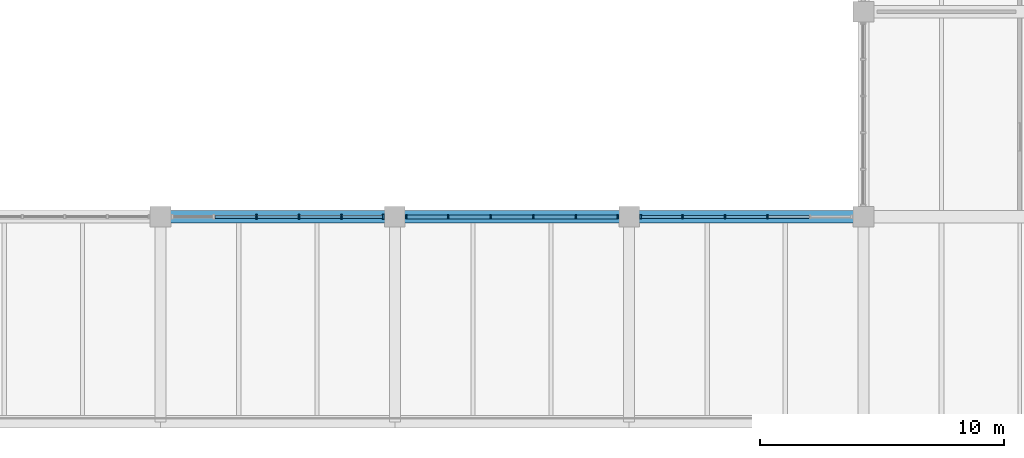
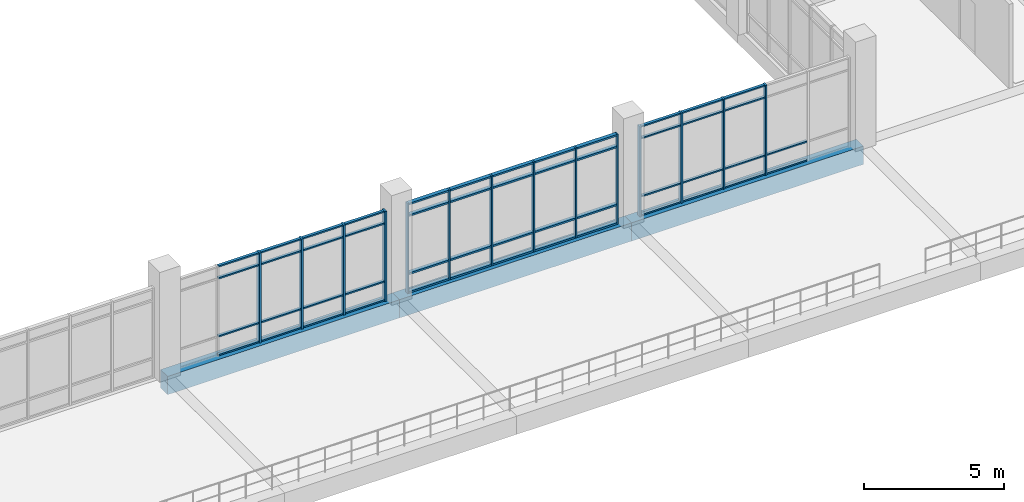
# One storey, part 22 of 152: 64 members, 3 beams, 3 elements without a shape of their own.
"""IFC4 building model written with IfcOpenShell, lengths in metres."""

from ifc_helpers import new_model, si_unit, direction, frame, origin, origin_2d, place, context, subcontext, project, spatial, rectangle, extrude, material, material_profile, profile_set, type_object, element, aggregate, save


model = new_model("IFC4")

# Units and contexts
model_context = context("Model", 3, precision=1e-05, world=origin(), true_north=direction((0.0, 1.0)))
body_context = subcontext(model_context, "Body", "Model", "MODEL_VIEW")
ifc_project = project(units=[si_unit("LENGTHUNIT", "METRE"), si_unit("AREAUNIT", "SQUARE_METRE"), si_unit("VOLUMEUNIT", "CUBIC_METRE"), si_unit("PLANEANGLEUNIT", "RADIAN"), si_unit("MASSUNIT", "GRAM", prefix="KILO")], contexts=[model_context])

# Site, building, storey
site_placement = place(None, origin())
site = spatial("IfcSite", under=ifc_project, at=site_placement, CompositionType="ELEMENT")
building_placement = place(site_placement, origin())
building = spatial("IfcBuilding", under=site, at=building_placement, Name="Oolite Switchyard Hospital", CompositionType="ELEMENT")
storey_placement = place(building_placement, frame((0.0, 0.0, 5.10009765625)))
storey = spatial("IfcBuildingStorey", under=building, at=storey_placement, Name="L01", CompositionType="ELEMENT", Elevation=5.10009765625)

# Beams
ifc_material_1 = material(Name="Concrete C40/50", Category="concrete")
ifc_material_profile_1 = material_profile(ifc_material_1, rectangle(XDim=0.5, YDim=0.800048828125, at=origin_2d()), Name="RCB500X800")
ifc_profile_set_1 = profile_set([ifc_material_profile_1], Name="Concrete C40/50")
beam_type = type_object("IfcBeamType", Name="BM-RC500X800", PredefinedType="BEAM", material=ifc_profile_set_1)
for number, where, z_axis, x_axis, name in (
    (1, (86.39990234375, 33.60009765625, -0.400146484375), (1.0, 0.0, 0.0), (0.0, 1.0, 0.0), "L01 X-Girder 71"),
    (2, (96.0, 33.60009765625, -0.400146484375), (1.0, 0.0, 0.0), (0.0, 1.0, 0.0), "L01 X-Girder 72"),
):
    element("IfcBeam", number, at=place(storey_placement, frame(where, z_axis=z_axis, x_axis=x_axis)), inside=storey, type_object=beam_type, Name=name, PredefinedType="BEAM", context=body_context, shape_type="SweptSolid", body=[
        extrude(rectangle(XDim=0.5, YDim=0.800048828125, at=origin_2d()), origin(), (0.0, 0.0, 1.0), 9.60009765625),
    ])
beam_placement = place(storey_placement, frame((105.60009765625, 33.60009765625, -0.400146484375), z_axis=(1.0, 0.0, 0.0), x_axis=(0.0, 1.0, 0.0)))
element("IfcBeam", 3, at=beam_placement, inside=storey, type_object=beam_type, Name="L01 X-Girder 73", PredefinedType="BEAM", context=body_context, shape_type="SweptSolid", body=[
    extrude(rectangle(XDim=0.5, YDim=0.800048828125, at=origin_2d()), origin(), (0.0, 0.0, 1.0), 9.599853515625),
])

# Curtain wall, members
ifc_material_2 = material(Name="Thermally broken aluminum frame with laminated impact glazing", Category="aluminium")
curtain_wall_type = type_object("IfcCurtainWallType", Name="CW-UNIT-96X48", PredefinedType="USERDEFINED", material=ifc_material_2)
curtain_wall_1_placement = place(storey_placement, origin())
curtain_wall_1 = element("IfcCurtainWall", 4, at=curtain_wall_1_placement, inside=storey, type_object=curtain_wall_type, Name="L01 Unitised Curtain Wall 113", ObjectType="UNITISED", PredefinedType="USERDEFINED")
ifc_material_3 = material(Name="Aluminium 6063-T6", Category="aluminium")
ifc_material_profile_2 = material_profile(ifc_material_3, rectangle(XDim=0.159912109375, YDim=0.06005859375, at=origin_2d()), Name="CWM60X160")
ifc_profile_set_2 = profile_set([ifc_material_profile_2], Name="Aluminium 6063-T6")
member_type_1 = type_object("IfcMemberType", Name="CW-MUL-180", PredefinedType="MULLION", material=ifc_profile_set_2)
member_1_placement = place(storey_placement, frame((96.469970703125, 33.60009765625, 0.0), z_axis=(0.0, 0.0, 1.0), x_axis=(0.0, 1.0, 0.0)))
member_1 = element("IfcMember", 5, at=member_1_placement, type_object=member_type_1, Name="CW-02 mullion 1", PredefinedType="MULLION", context=body_context, shape_type="SweptSolid", body=[
    extrude(rectangle(XDim=0.159912109375, YDim=0.06005859375, at=origin_2d()), origin(), (0.0, 0.0, 1.0), 3.93994140625),
])
member_2_placement = place(storey_placement, frame((98.18408203125, 33.60009765625, 0.0), z_axis=(0.0, 0.0, 1.0), x_axis=(0.0, 1.0, 0.0)))
member_2 = element("IfcMember", 6, at=member_2_placement, type_object=member_type_1, Name="CW-02 mullion 2", PredefinedType="MULLION", context=body_context, shape_type="SweptSolid", body=[
    extrude(rectangle(XDim=0.159912109375, YDim=0.06005859375, at=origin_2d()), origin(), (0.0, 0.0, 1.0), 3.93994140625),
])
member_3_placement = place(storey_placement, frame((99.927978515625, 33.60009765625, 0.0), z_axis=(0.0, 0.0, 1.0), x_axis=(0.0, 1.0, 0.0)))
member_3 = element("IfcMember", 7, at=member_3_placement, type_object=member_type_1, Name="CW-02 mullion 3", PredefinedType="MULLION", context=body_context, shape_type="SweptSolid", body=[
    extrude(rectangle(XDim=0.159912109375, YDim=0.06005859375, at=origin_2d()), origin(), (0.0, 0.0, 1.0), 3.93994140625),
])
member_4_placement = place(storey_placement, frame((101.672119140625, 33.60009765625, 0.0), z_axis=(0.0, 0.0, 1.0), x_axis=(0.0, 1.0, 0.0)))
member_4 = element("IfcMember", 8, at=member_4_placement, type_object=member_type_1, Name="CW-02 mullion 4", PredefinedType="MULLION", context=body_context, shape_type="SweptSolid", body=[
    extrude(rectangle(XDim=0.159912109375, YDim=0.06005859375, at=origin_2d()), origin(), (0.0, 0.0, 1.0), 3.93994140625),
])
member_5_placement = place(storey_placement, frame((103.416015625, 33.60009765625, 0.0), z_axis=(0.0, 0.0, 1.0), x_axis=(0.0, 1.0, 0.0)))
member_5 = element("IfcMember", 9, at=member_5_placement, type_object=member_type_1, Name="CW-02 mullion 5", PredefinedType="MULLION", context=body_context, shape_type="SweptSolid", body=[
    extrude(rectangle(XDim=0.159912109375, YDim=0.06005859375, at=origin_2d()), origin(), (0.0, 0.0, 1.0), 3.93994140625),
])
member_6_placement = place(storey_placement, frame((105.1298828125, 33.60009765625, 0.0), z_axis=(0.0, 0.0, 1.0), x_axis=(0.0, 1.0, 0.0)))
member_6 = element("IfcMember", 10, at=member_6_placement, type_object=member_type_1, Name="CW-02 mullion 6", PredefinedType="MULLION", context=body_context, shape_type="SweptSolid", body=[
    extrude(rectangle(XDim=0.159912109375, YDim=0.06005859375, at=origin_2d()), origin(), (0.0, 0.0, 1.0), 3.93994140625),
])

curtain_wall_2_placement = place(storey_placement, origin())
curtain_wall_2 = element("IfcCurtainWall", 11, at=curtain_wall_2_placement, inside=storey, type_object=curtain_wall_type, Name="L01 Unitised Curtain Wall 114", ObjectType="UNITISED", PredefinedType="USERDEFINED")
ifc_material_profile_3 = material_profile(ifc_material_3, rectangle(XDim=0.179931640625, YDim=0.070068359375, at=origin_2d()), Name="CWM70X180")
ifc_profile_set_3 = profile_set([ifc_material_profile_3], Name="Aluminium 6063-T6")
member_type_2 = type_object("IfcMemberType", Name="CW-MUL-220", PredefinedType="MULLION", material=ifc_profile_set_3)
member_7_placement = place(storey_placement, frame((106.074951171875, 33.60009765625, 0.0), z_axis=(0.0, 0.0, 1.0), x_axis=(0.0, 1.0, 0.0)))
member_7 = element("IfcMember", 12, at=member_7_placement, type_object=member_type_2, Name="CW-02 mullion 1", PredefinedType="MULLION", context=body_context, shape_type="SweptSolid", body=[
    extrude(rectangle(XDim=0.179931640625, YDim=0.070068359375, at=origin_2d()), origin(), (0.0, 0.0, 1.0), 3.93994140625),
])
member_8_placement = place(storey_placement, frame((107.783935546875, 33.60009765625, 0.0), z_axis=(0.0, 0.0, 1.0), x_axis=(0.0, 1.0, 0.0)))
member_8 = element("IfcMember", 13, at=member_8_placement, type_object=member_type_2, Name="CW-02 mullion 2", PredefinedType="MULLION", context=body_context, shape_type="SweptSolid", body=[
    extrude(rectangle(XDim=0.179931640625, YDim=0.070068359375, at=origin_2d()), origin(), (0.0, 0.0, 1.0), 3.93994140625),
])
member_9_placement = place(storey_placement, frame((109.528076171875, 33.60009765625, 0.0), z_axis=(0.0, 0.0, 1.0), x_axis=(0.0, 1.0, 0.0)))
member_9 = element("IfcMember", 14, at=member_9_placement, type_object=member_type_2, Name="CW-02 mullion 3", PredefinedType="MULLION", context=body_context, shape_type="SweptSolid", body=[
    extrude(rectangle(XDim=0.179931640625, YDim=0.070068359375, at=origin_2d()), origin(), (0.0, 0.0, 1.0), 3.93994140625),
])
member_10_placement = place(storey_placement, frame((111.27197265625, 33.60009765625, 0.0), z_axis=(0.0, 0.0, 1.0), x_axis=(0.0, 1.0, 0.0)))
member_10 = element("IfcMember", 15, at=member_10_placement, type_object=member_type_2, Name="CW-02 mullion 4", PredefinedType="MULLION", context=body_context, shape_type="SweptSolid", body=[
    extrude(rectangle(XDim=0.179931640625, YDim=0.070068359375, at=origin_2d()), origin(), (0.0, 0.0, 1.0), 3.93994140625),
])

curtain_wall_3_placement = place(storey_placement, origin())
curtain_wall_3 = element("IfcCurtainWall", 16, at=curtain_wall_3_placement, inside=storey, type_object=curtain_wall_type, Name="L01 Unitised Curtain Wall 112", ObjectType="UNITISED", PredefinedType="USERDEFINED")
ifc_material_profile_4 = material_profile(ifc_material_3, rectangle(XDim=0.199951171875, YDim=0.074951171875, at=origin_2d()), Name="CWM75X200")
ifc_profile_set_4 = profile_set([ifc_material_profile_4], Name="Aluminium 6063-T6")
member_type_3 = type_object("IfcMemberType", Name="CW-MUL-260", PredefinedType="MULLION", material=ifc_profile_set_4)
member_11_placement = place(storey_placement, frame((90.327880859375, 33.60009765625, 0.0), z_axis=(0.0, 0.0, 1.0), x_axis=(0.0, 1.0, 0.0)))
member_11 = element("IfcMember", 17, at=member_11_placement, type_object=member_type_3, Name="CW-02 mullion 3", PredefinedType="MULLION", context=body_context, shape_type="SweptSolid", body=[
    extrude(rectangle(XDim=0.199951171875, YDim=0.074951171875, at=origin_2d()), origin(), (0.0, 0.0, 1.0), 3.93994140625),
])
member_12_placement = place(storey_placement, frame((92.072021484375, 33.60009765625, 0.0), z_axis=(0.0, 0.0, 1.0), x_axis=(0.0, 1.0, 0.0)))
member_12 = element("IfcMember", 18, at=member_12_placement, type_object=member_type_3, Name="CW-02 mullion 4", PredefinedType="MULLION", context=body_context, shape_type="SweptSolid", body=[
    extrude(rectangle(XDim=0.199951171875, YDim=0.074951171875, at=origin_2d()), origin(), (0.0, 0.0, 1.0), 3.93994140625),
])
member_13_placement = place(storey_placement, frame((93.81591796875, 33.60009765625, 0.0), z_axis=(0.0, 0.0, 1.0), x_axis=(0.0, 1.0, 0.0)))
member_13 = element("IfcMember", 19, at=member_13_placement, type_object=member_type_3, Name="CW-02 mullion 5", PredefinedType="MULLION", context=body_context, shape_type="SweptSolid", body=[
    extrude(rectangle(XDim=0.199951171875, YDim=0.074951171875, at=origin_2d()), origin(), (0.0, 0.0, 1.0), 3.93994140625),
])
member_14_placement = place(storey_placement, frame((95.5224609375, 33.60009765625, 0.0), z_axis=(0.0, 0.0, 1.0), x_axis=(0.0, 1.0, 0.0)))
member_14 = element("IfcMember", 20, at=member_14_placement, type_object=member_type_3, Name="CW-02 mullion 6", PredefinedType="MULLION", context=body_context, shape_type="SweptSolid", body=[
    extrude(rectangle(XDim=0.199951171875, YDim=0.074951171875, at=origin_2d()), origin(), (0.0, 0.0, 1.0), 3.93994140625),
])
ifc_material_profile_5 = material_profile(ifc_material_3, rectangle(XDim=0.1201171875, YDim=0.06005859375, at=origin_2d()), Name="CWT60X120")
ifc_profile_set_5 = profile_set([ifc_material_profile_5], Name="Aluminium 6063-T6")
member_type_4 = type_object("IfcMemberType", Name="CW-TRN-150", PredefinedType="USERDEFINED", material=ifc_profile_set_5)
member_15_placement = place(storey_placement, frame((88.62158203125, 33.60009765625, 0.02978515625), z_axis=(1.0, 0.0, 0.0), x_axis=(0.0, 1.0, 0.0)))
member_15 = element("IfcMember", 21, at=member_15_placement, type_object=member_type_4, Name="CW-02 transom 2.1", ObjectType="TRANSOM", PredefinedType="USERDEFINED", context=body_context, shape_type="SweptSolid", body=[
    extrude(rectangle(XDim=0.1201171875, YDim=0.06005859375, at=origin_2d()), origin(), (0.0, 0.0, 1.0), 1.6689453125),
])
member_16_placement = place(storey_placement, frame((88.62158203125, 33.60009765625, 0.849853515625), z_axis=(1.0, 0.0, 0.0), x_axis=(0.0, 1.0, 0.0)))
member_16 = element("IfcMember", 22, at=member_16_placement, type_object=member_type_4, Name="CW-02 transom 2.2", ObjectType="TRANSOM", PredefinedType="USERDEFINED", context=body_context, shape_type="SweptSolid", body=[
    extrude(rectangle(XDim=0.1201171875, YDim=0.06005859375, at=origin_2d()), origin(), (0.0, 0.0, 1.0), 1.6689453125),
])
member_17_placement = place(storey_placement, frame((88.62158203125, 33.60009765625, 3.389892578125), z_axis=(1.0, 0.0, 0.0), x_axis=(0.0, 1.0, 0.0)))
member_17 = element("IfcMember", 23, at=member_17_placement, type_object=member_type_4, Name="CW-02 transom 2.3", ObjectType="TRANSOM", PredefinedType="USERDEFINED", context=body_context, shape_type="SweptSolid", body=[
    extrude(rectangle(XDim=0.1201171875, YDim=0.06005859375, at=origin_2d()), origin(), (0.0, 0.0, 1.0), 1.6689453125),
])
member_18_placement = place(storey_placement, frame((88.62158203125, 33.60009765625, 3.909912109375), z_axis=(1.0, 0.0, 0.0), x_axis=(0.0, 1.0, 0.0)))
member_18 = element("IfcMember", 24, at=member_18_placement, type_object=member_type_4, Name="CW-02 transom 2.4", ObjectType="TRANSOM", PredefinedType="USERDEFINED", context=body_context, shape_type="SweptSolid", body=[
    extrude(rectangle(XDim=0.1201171875, YDim=0.06005859375, at=origin_2d()), origin(), (0.0, 0.0, 1.0), 1.6689453125),
])
member_19_placement = place(storey_placement, frame((90.365478515625, 33.60009765625, 0.02978515625), z_axis=(1.0, 0.0, 0.0), x_axis=(0.0, 1.0, 0.0)))
member_19 = element("IfcMember", 25, at=member_19_placement, type_object=member_type_4, Name="CW-02 transom 3.1", ObjectType="TRANSOM", PredefinedType="USERDEFINED", context=body_context, shape_type="SweptSolid", body=[
    extrude(rectangle(XDim=0.1201171875, YDim=0.06005859375, at=origin_2d()), origin(), (0.0, 0.0, 1.0), 1.6689453125),
])
member_20_placement = place(storey_placement, frame((90.365478515625, 33.60009765625, 0.849853515625), z_axis=(1.0, 0.0, 0.0), x_axis=(0.0, 1.0, 0.0)))
member_20 = element("IfcMember", 26, at=member_20_placement, type_object=member_type_4, Name="CW-02 transom 3.2", ObjectType="TRANSOM", PredefinedType="USERDEFINED", context=body_context, shape_type="SweptSolid", body=[
    extrude(rectangle(XDim=0.1201171875, YDim=0.06005859375, at=origin_2d()), origin(), (0.0, 0.0, 1.0), 1.6689453125),
])
member_21_placement = place(storey_placement, frame((90.365478515625, 33.60009765625, 3.389892578125), z_axis=(1.0, 0.0, 0.0), x_axis=(0.0, 1.0, 0.0)))
member_21 = element("IfcMember", 27, at=member_21_placement, type_object=member_type_4, Name="CW-02 transom 3.3", ObjectType="TRANSOM", PredefinedType="USERDEFINED", context=body_context, shape_type="SweptSolid", body=[
    extrude(rectangle(XDim=0.1201171875, YDim=0.06005859375, at=origin_2d()), origin(), (0.0, 0.0, 1.0), 1.6689453125),
])
member_22_placement = place(storey_placement, frame((90.365478515625, 33.60009765625, 3.909912109375), z_axis=(1.0, 0.0, 0.0), x_axis=(0.0, 1.0, 0.0)))
member_22 = element("IfcMember", 28, at=member_22_placement, type_object=member_type_4, Name="CW-02 transom 3.4", ObjectType="TRANSOM", PredefinedType="USERDEFINED", context=body_context, shape_type="SweptSolid", body=[
    extrude(rectangle(XDim=0.1201171875, YDim=0.06005859375, at=origin_2d()), origin(), (0.0, 0.0, 1.0), 1.6689453125),
])
member_23_placement = place(storey_placement, frame((92.109619140625, 33.60009765625, 0.02978515625), z_axis=(1.0, 0.0, 0.0), x_axis=(0.0, 1.0, 0.0)))
member_23 = element("IfcMember", 29, at=member_23_placement, type_object=member_type_4, Name="CW-02 transom 4.1", ObjectType="TRANSOM", PredefinedType="USERDEFINED", context=body_context, shape_type="SweptSolid", body=[
    extrude(rectangle(XDim=0.1201171875, YDim=0.06005859375, at=origin_2d()), origin(), (0.0, 0.0, 1.0), 1.6689453125),
])
member_24_placement = place(storey_placement, frame((92.109619140625, 33.60009765625, 0.849853515625), z_axis=(1.0, 0.0, 0.0), x_axis=(0.0, 1.0, 0.0)))
member_24 = element("IfcMember", 30, at=member_24_placement, type_object=member_type_4, Name="CW-02 transom 4.2", ObjectType="TRANSOM", PredefinedType="USERDEFINED", context=body_context, shape_type="SweptSolid", body=[
    extrude(rectangle(XDim=0.1201171875, YDim=0.06005859375, at=origin_2d()), origin(), (0.0, 0.0, 1.0), 1.6689453125),
])
member_25_placement = place(storey_placement, frame((92.109619140625, 33.60009765625, 3.389892578125), z_axis=(1.0, 0.0, 0.0), x_axis=(0.0, 1.0, 0.0)))
member_25 = element("IfcMember", 31, at=member_25_placement, type_object=member_type_4, Name="CW-02 transom 4.3", ObjectType="TRANSOM", PredefinedType="USERDEFINED", context=body_context, shape_type="SweptSolid", body=[
    extrude(rectangle(XDim=0.1201171875, YDim=0.06005859375, at=origin_2d()), origin(), (0.0, 0.0, 1.0), 1.6689453125),
])
member_26_placement = place(storey_placement, frame((92.109619140625, 33.60009765625, 3.909912109375), z_axis=(1.0, 0.0, 0.0), x_axis=(0.0, 1.0, 0.0)))
member_26 = element("IfcMember", 32, at=member_26_placement, type_object=member_type_4, Name="CW-02 transom 4.4", ObjectType="TRANSOM", PredefinedType="USERDEFINED", context=body_context, shape_type="SweptSolid", body=[
    extrude(rectangle(XDim=0.1201171875, YDim=0.06005859375, at=origin_2d()), origin(), (0.0, 0.0, 1.0), 1.6689453125),
])
member_27_placement = place(storey_placement, frame((93.853515625, 33.60009765625, 0.02978515625), z_axis=(1.0, 0.0, 0.0), x_axis=(0.0, 1.0, 0.0)))
member_27 = element("IfcMember", 33, at=member_27_placement, type_object=member_type_4, Name="CW-02 transom 5.1", ObjectType="TRANSOM", PredefinedType="USERDEFINED", context=body_context, shape_type="SweptSolid", body=[
    extrude(rectangle(XDim=0.1201171875, YDim=0.06005859375, at=origin_2d()), origin(), (0.0, 0.0, 1.0), 1.631591796875),
])
member_28_placement = place(storey_placement, frame((93.853515625, 33.60009765625, 0.849853515625), z_axis=(1.0, 0.0, 0.0), x_axis=(0.0, 1.0, 0.0)))
member_28 = element("IfcMember", 34, at=member_28_placement, type_object=member_type_4, Name="CW-02 transom 5.2", ObjectType="TRANSOM", PredefinedType="USERDEFINED", context=body_context, shape_type="SweptSolid", body=[
    extrude(rectangle(XDim=0.1201171875, YDim=0.06005859375, at=origin_2d()), origin(), (0.0, 0.0, 1.0), 1.631591796875),
])
member_29_placement = place(storey_placement, frame((93.853515625, 33.60009765625, 3.389892578125), z_axis=(1.0, 0.0, 0.0), x_axis=(0.0, 1.0, 0.0)))
member_29 = element("IfcMember", 35, at=member_29_placement, type_object=member_type_4, Name="CW-02 transom 5.3", ObjectType="TRANSOM", PredefinedType="USERDEFINED", context=body_context, shape_type="SweptSolid", body=[
    extrude(rectangle(XDim=0.1201171875, YDim=0.06005859375, at=origin_2d()), origin(), (0.0, 0.0, 1.0), 1.631591796875),
])
member_30_placement = place(storey_placement, frame((93.853515625, 33.60009765625, 3.909912109375), z_axis=(1.0, 0.0, 0.0), x_axis=(0.0, 1.0, 0.0)))
member_30 = element("IfcMember", 36, at=member_30_placement, type_object=member_type_4, Name="CW-02 transom 5.4", ObjectType="TRANSOM", PredefinedType="USERDEFINED", context=body_context, shape_type="SweptSolid", body=[
    extrude(rectangle(XDim=0.1201171875, YDim=0.06005859375, at=origin_2d()), origin(), (0.0, 0.0, 1.0), 1.631591796875),
])
aggregate(curtain_wall_3, [member_11, member_12, member_13, member_14, member_15, member_16, member_17, member_18, member_19, member_20, member_21, member_22, member_23, member_24, member_25, member_26, member_27, member_28, member_29, member_30])

# Member
member_31_placement = place(storey_placement, frame((106.110107421875, 33.60009765625, 0.02978515625), z_axis=(1.0, 0.0, 0.0), x_axis=(0.0, 1.0, 0.0)))
member_31 = element("IfcMember", 37, at=member_31_placement, type_object=member_type_4, Name="CW-02 transom 1.1", ObjectType="TRANSOM", PredefinedType="USERDEFINED", context=body_context, shape_type="SweptSolid", body=[
    extrude(rectangle(XDim=0.1201171875, YDim=0.06005859375, at=origin_2d()), origin(), (0.0, 0.0, 1.0), 1.638916015625),
])

member_32_placement = place(storey_placement, frame((106.110107421875, 33.60009765625, 0.849853515625), z_axis=(1.0, 0.0, 0.0), x_axis=(0.0, 1.0, 0.0)))
member_32 = element("IfcMember", 38, at=member_32_placement, type_object=member_type_4, Name="CW-02 transom 1.2", ObjectType="TRANSOM", PredefinedType="USERDEFINED", context=body_context, shape_type="SweptSolid", body=[
    extrude(rectangle(XDim=0.1201171875, YDim=0.06005859375, at=origin_2d()), origin(), (0.0, 0.0, 1.0), 1.638916015625),
])

member_33_placement = place(storey_placement, frame((106.110107421875, 33.60009765625, 3.389892578125), z_axis=(1.0, 0.0, 0.0), x_axis=(0.0, 1.0, 0.0)))
member_33 = element("IfcMember", 39, at=member_33_placement, type_object=member_type_4, Name="CW-02 transom 1.3", ObjectType="TRANSOM", PredefinedType="USERDEFINED", context=body_context, shape_type="SweptSolid", body=[
    extrude(rectangle(XDim=0.1201171875, YDim=0.06005859375, at=origin_2d()), origin(), (0.0, 0.0, 1.0), 1.638916015625),
])

member_34_placement = place(storey_placement, frame((106.110107421875, 33.60009765625, 3.909912109375), z_axis=(1.0, 0.0, 0.0), x_axis=(0.0, 1.0, 0.0)))
member_34 = element("IfcMember", 40, at=member_34_placement, type_object=member_type_4, Name="CW-02 transom 1.4", ObjectType="TRANSOM", PredefinedType="USERDEFINED", context=body_context, shape_type="SweptSolid", body=[
    extrude(rectangle(XDim=0.1201171875, YDim=0.06005859375, at=origin_2d()), origin(), (0.0, 0.0, 1.0), 1.638916015625),
])

member_35_placement = place(storey_placement, frame((107.819091796875, 33.60009765625, 0.02978515625), z_axis=(1.0, 0.0, 0.0), x_axis=(0.0, 1.0, 0.0)))
member_35 = element("IfcMember", 41, at=member_35_placement, type_object=member_type_4, Name="CW-02 transom 2.1", ObjectType="TRANSOM", PredefinedType="USERDEFINED", context=body_context, shape_type="SweptSolid", body=[
    extrude(rectangle(XDim=0.1201171875, YDim=0.06005859375, at=origin_2d()), origin(), (0.0, 0.0, 1.0), 1.673828125),
])

member_36_placement = place(storey_placement, frame((107.819091796875, 33.60009765625, 0.849853515625), z_axis=(1.0, 0.0, 0.0), x_axis=(0.0, 1.0, 0.0)))
member_36 = element("IfcMember", 42, at=member_36_placement, type_object=member_type_4, Name="CW-02 transom 2.2", ObjectType="TRANSOM", PredefinedType="USERDEFINED", context=body_context, shape_type="SweptSolid", body=[
    extrude(rectangle(XDim=0.1201171875, YDim=0.06005859375, at=origin_2d()), origin(), (0.0, 0.0, 1.0), 1.673828125),
])

member_37_placement = place(storey_placement, frame((107.819091796875, 33.60009765625, 3.389892578125), z_axis=(1.0, 0.0, 0.0), x_axis=(0.0, 1.0, 0.0)))
member_37 = element("IfcMember", 43, at=member_37_placement, type_object=member_type_4, Name="CW-02 transom 2.3", ObjectType="TRANSOM", PredefinedType="USERDEFINED", context=body_context, shape_type="SweptSolid", body=[
    extrude(rectangle(XDim=0.1201171875, YDim=0.06005859375, at=origin_2d()), origin(), (0.0, 0.0, 1.0), 1.673828125),
])

member_38_placement = place(storey_placement, frame((107.819091796875, 33.60009765625, 3.909912109375), z_axis=(1.0, 0.0, 0.0), x_axis=(0.0, 1.0, 0.0)))
member_38 = element("IfcMember", 44, at=member_38_placement, type_object=member_type_4, Name="CW-02 transom 2.4", ObjectType="TRANSOM", PredefinedType="USERDEFINED", context=body_context, shape_type="SweptSolid", body=[
    extrude(rectangle(XDim=0.1201171875, YDim=0.06005859375, at=origin_2d()), origin(), (0.0, 0.0, 1.0), 1.673828125),
])

member_39_placement = place(storey_placement, frame((109.56298828125, 33.60009765625, 0.02978515625), z_axis=(1.0, 0.0, 0.0), x_axis=(0.0, 1.0, 0.0)))
member_39 = element("IfcMember", 45, at=member_39_placement, type_object=member_type_4, Name="CW-02 transom 3.1", ObjectType="TRANSOM", PredefinedType="USERDEFINED", context=body_context, shape_type="SweptSolid", body=[
    extrude(rectangle(XDim=0.1201171875, YDim=0.06005859375, at=origin_2d()), origin(), (0.0, 0.0, 1.0), 1.674072265625),
])

member_40_placement = place(storey_placement, frame((109.56298828125, 33.60009765625, 0.849853515625), z_axis=(1.0, 0.0, 0.0), x_axis=(0.0, 1.0, 0.0)))
member_40 = element("IfcMember", 46, at=member_40_placement, type_object=member_type_4, Name="CW-02 transom 3.2", ObjectType="TRANSOM", PredefinedType="USERDEFINED", context=body_context, shape_type="SweptSolid", body=[
    extrude(rectangle(XDim=0.1201171875, YDim=0.06005859375, at=origin_2d()), origin(), (0.0, 0.0, 1.0), 1.674072265625),
])

member_41_placement = place(storey_placement, frame((109.56298828125, 33.60009765625, 3.389892578125), z_axis=(1.0, 0.0, 0.0), x_axis=(0.0, 1.0, 0.0)))
member_41 = element("IfcMember", 47, at=member_41_placement, type_object=member_type_4, Name="CW-02 transom 3.3", ObjectType="TRANSOM", PredefinedType="USERDEFINED", context=body_context, shape_type="SweptSolid", body=[
    extrude(rectangle(XDim=0.1201171875, YDim=0.06005859375, at=origin_2d()), origin(), (0.0, 0.0, 1.0), 1.674072265625),
])

member_42_placement = place(storey_placement, frame((109.56298828125, 33.60009765625, 3.909912109375), z_axis=(1.0, 0.0, 0.0), x_axis=(0.0, 1.0, 0.0)))
member_42 = element("IfcMember", 48, at=member_42_placement, type_object=member_type_4, Name="CW-02 transom 3.4", ObjectType="TRANSOM", PredefinedType="USERDEFINED", context=body_context, shape_type="SweptSolid", body=[
    extrude(rectangle(XDim=0.1201171875, YDim=0.06005859375, at=origin_2d()), origin(), (0.0, 0.0, 1.0), 1.674072265625),
])

member_43_placement = place(storey_placement, frame((111.306884765625, 33.60009765625, 0.02978515625), z_axis=(1.0, 0.0, 0.0), x_axis=(0.0, 1.0, 0.0)))
member_43 = element("IfcMember", 49, at=member_43_placement, type_object=member_type_4, Name="CW-02 transom 4.1", ObjectType="TRANSOM", PredefinedType="USERDEFINED", context=body_context, shape_type="SweptSolid", body=[
    extrude(rectangle(XDim=0.1201171875, YDim=0.06005859375, at=origin_2d()), origin(), (0.0, 0.0, 1.0), 1.674072265625),
])

member_44_placement = place(storey_placement, frame((111.306884765625, 33.60009765625, 0.849853515625), z_axis=(1.0, 0.0, 0.0), x_axis=(0.0, 1.0, 0.0)))
member_44 = element("IfcMember", 50, at=member_44_placement, type_object=member_type_4, Name="CW-02 transom 4.2", ObjectType="TRANSOM", PredefinedType="USERDEFINED", context=body_context, shape_type="SweptSolid", body=[
    extrude(rectangle(XDim=0.1201171875, YDim=0.06005859375, at=origin_2d()), origin(), (0.0, 0.0, 1.0), 1.674072265625),
])

aggregate(curtain_wall_2, [member_7, member_8, member_9, member_10, member_31, member_32, member_33, member_34, member_35, member_36, member_37, member_38, member_39, member_40, member_41, member_42, member_43, member_44])

ifc_material_profile_6 = material_profile(ifc_material_3, rectangle(XDim=0.159912109375, YDim=0.074951171875, at=origin_2d()), Name="CWT75X160")
ifc_profile_set_6 = profile_set([ifc_material_profile_6], Name="Aluminium 6063-T6")
member_type_5 = type_object("IfcMemberType", Name="CW-TRN-180", PredefinedType="USERDEFINED", material=ifc_profile_set_6)
member_45_placement = place(storey_placement, frame((96.5, 33.60009765625, 0.037353515625), z_axis=(1.0, 0.0, 0.0), x_axis=(0.0, 1.0, 0.0)))
member_45 = element("IfcMember", 51, at=member_45_placement, type_object=member_type_5, Name="CW-02 transom 1.1", ObjectType="TRANSOM", PredefinedType="USERDEFINED", context=body_context, shape_type="SweptSolid", body=[
    extrude(rectangle(XDim=0.159912109375, YDim=0.074951171875, at=origin_2d()), origin(), (0.0, 0.0, 1.0), 1.654052734375),
])

member_46_placement = place(storey_placement, frame((96.5, 33.60009765625, 0.849853515625), z_axis=(1.0, 0.0, 0.0), x_axis=(0.0, 1.0, 0.0)))
member_46 = element("IfcMember", 52, at=member_46_placement, type_object=member_type_5, Name="CW-02 transom 1.2", ObjectType="TRANSOM", PredefinedType="USERDEFINED", context=body_context, shape_type="SweptSolid", body=[
    extrude(rectangle(XDim=0.159912109375, YDim=0.074951171875, at=origin_2d()), origin(), (0.0, 0.0, 1.0), 1.654052734375),
])

member_47_placement = place(storey_placement, frame((96.5, 33.60009765625, 3.389892578125), z_axis=(1.0, 0.0, 0.0), x_axis=(0.0, 1.0, 0.0)))
member_47 = element("IfcMember", 53, at=member_47_placement, type_object=member_type_5, Name="CW-02 transom 1.3", ObjectType="TRANSOM", PredefinedType="USERDEFINED", context=body_context, shape_type="SweptSolid", body=[
    extrude(rectangle(XDim=0.159912109375, YDim=0.074951171875, at=origin_2d()), origin(), (0.0, 0.0, 1.0), 1.654052734375),
])

member_48_placement = place(storey_placement, frame((96.5, 33.60009765625, 3.90234375), z_axis=(1.0, 0.0, 0.0), x_axis=(0.0, 1.0, 0.0)))
member_48 = element("IfcMember", 54, at=member_48_placement, type_object=member_type_5, Name="CW-02 transom 1.4", ObjectType="TRANSOM", PredefinedType="USERDEFINED", context=body_context, shape_type="SweptSolid", body=[
    extrude(rectangle(XDim=0.159912109375, YDim=0.074951171875, at=origin_2d()), origin(), (0.0, 0.0, 1.0), 1.654052734375),
])

member_49_placement = place(storey_placement, frame((98.214111328125, 33.60009765625, 0.037353515625), z_axis=(1.0, 0.0, 0.0), x_axis=(0.0, 1.0, 0.0)))
member_49 = element("IfcMember", 55, at=member_49_placement, type_object=member_type_5, Name="CW-02 transom 2.1", ObjectType="TRANSOM", PredefinedType="USERDEFINED", context=body_context, shape_type="SweptSolid", body=[
    extrude(rectangle(XDim=0.159912109375, YDim=0.074951171875, at=origin_2d()), origin(), (0.0, 0.0, 1.0), 1.683837890625),
])

member_50_placement = place(storey_placement, frame((98.214111328125, 33.60009765625, 0.849853515625), z_axis=(1.0, 0.0, 0.0), x_axis=(0.0, 1.0, 0.0)))
member_50 = element("IfcMember", 56, at=member_50_placement, type_object=member_type_5, Name="CW-02 transom 2.2", ObjectType="TRANSOM", PredefinedType="USERDEFINED", context=body_context, shape_type="SweptSolid", body=[
    extrude(rectangle(XDim=0.159912109375, YDim=0.074951171875, at=origin_2d()), origin(), (0.0, 0.0, 1.0), 1.683837890625),
])

member_51_placement = place(storey_placement, frame((98.214111328125, 33.60009765625, 3.389892578125), z_axis=(1.0, 0.0, 0.0), x_axis=(0.0, 1.0, 0.0)))
member_51 = element("IfcMember", 57, at=member_51_placement, type_object=member_type_5, Name="CW-02 transom 2.3", ObjectType="TRANSOM", PredefinedType="USERDEFINED", context=body_context, shape_type="SweptSolid", body=[
    extrude(rectangle(XDim=0.159912109375, YDim=0.074951171875, at=origin_2d()), origin(), (0.0, 0.0, 1.0), 1.683837890625),
])

member_52_placement = place(storey_placement, frame((98.214111328125, 33.60009765625, 3.90234375), z_axis=(1.0, 0.0, 0.0), x_axis=(0.0, 1.0, 0.0)))
member_52 = element("IfcMember", 58, at=member_52_placement, type_object=member_type_5, Name="CW-02 transom 2.4", ObjectType="TRANSOM", PredefinedType="USERDEFINED", context=body_context, shape_type="SweptSolid", body=[
    extrude(rectangle(XDim=0.159912109375, YDim=0.074951171875, at=origin_2d()), origin(), (0.0, 0.0, 1.0), 1.683837890625),
])

member_53_placement = place(storey_placement, frame((99.9580078125, 33.60009765625, 0.037353515625), z_axis=(1.0, 0.0, 0.0), x_axis=(0.0, 1.0, 0.0)))
member_53 = element("IfcMember", 59, at=member_53_placement, type_object=member_type_5, Name="CW-02 transom 3.1", ObjectType="TRANSOM", PredefinedType="USERDEFINED", context=body_context, shape_type="SweptSolid", body=[
    extrude(rectangle(XDim=0.159912109375, YDim=0.074951171875, at=origin_2d()), origin(), (0.0, 0.0, 1.0), 1.68408203125),
])

member_54_placement = place(storey_placement, frame((99.9580078125, 33.60009765625, 0.849853515625), z_axis=(1.0, 0.0, 0.0), x_axis=(0.0, 1.0, 0.0)))
member_54 = element("IfcMember", 60, at=member_54_placement, type_object=member_type_5, Name="CW-02 transom 3.2", ObjectType="TRANSOM", PredefinedType="USERDEFINED", context=body_context, shape_type="SweptSolid", body=[
    extrude(rectangle(XDim=0.159912109375, YDim=0.074951171875, at=origin_2d()), origin(), (0.0, 0.0, 1.0), 1.68408203125),
])

member_55_placement = place(storey_placement, frame((99.9580078125, 33.60009765625, 3.389892578125), z_axis=(1.0, 0.0, 0.0), x_axis=(0.0, 1.0, 0.0)))
member_55 = element("IfcMember", 61, at=member_55_placement, type_object=member_type_5, Name="CW-02 transom 3.3", ObjectType="TRANSOM", PredefinedType="USERDEFINED", context=body_context, shape_type="SweptSolid", body=[
    extrude(rectangle(XDim=0.159912109375, YDim=0.074951171875, at=origin_2d()), origin(), (0.0, 0.0, 1.0), 1.68408203125),
])

member_56_placement = place(storey_placement, frame((99.9580078125, 33.60009765625, 3.90234375), z_axis=(1.0, 0.0, 0.0), x_axis=(0.0, 1.0, 0.0)))
member_56 = element("IfcMember", 62, at=member_56_placement, type_object=member_type_5, Name="CW-02 transom 3.4", ObjectType="TRANSOM", PredefinedType="USERDEFINED", context=body_context, shape_type="SweptSolid", body=[
    extrude(rectangle(XDim=0.159912109375, YDim=0.074951171875, at=origin_2d()), origin(), (0.0, 0.0, 1.0), 1.68408203125),
])

member_57_placement = place(storey_placement, frame((101.701904296875, 33.60009765625, 0.037353515625), z_axis=(1.0, 0.0, 0.0), x_axis=(0.0, 1.0, 0.0)))
member_57 = element("IfcMember", 63, at=member_57_placement, type_object=member_type_5, Name="CW-02 transom 4.1", ObjectType="TRANSOM", PredefinedType="USERDEFINED", context=body_context, shape_type="SweptSolid", body=[
    extrude(rectangle(XDim=0.159912109375, YDim=0.074951171875, at=origin_2d()), origin(), (0.0, 0.0, 1.0), 1.68408203125),
])

member_58_placement = place(storey_placement, frame((101.701904296875, 33.60009765625, 0.849853515625), z_axis=(1.0, 0.0, 0.0), x_axis=(0.0, 1.0, 0.0)))
member_58 = element("IfcMember", 64, at=member_58_placement, type_object=member_type_5, Name="CW-02 transom 4.2", ObjectType="TRANSOM", PredefinedType="USERDEFINED", context=body_context, shape_type="SweptSolid", body=[
    extrude(rectangle(XDim=0.159912109375, YDim=0.074951171875, at=origin_2d()), origin(), (0.0, 0.0, 1.0), 1.68408203125),
])

member_59_placement = place(storey_placement, frame((101.701904296875, 33.60009765625, 3.389892578125), z_axis=(1.0, 0.0, 0.0), x_axis=(0.0, 1.0, 0.0)))
member_59 = element("IfcMember", 65, at=member_59_placement, type_object=member_type_5, Name="CW-02 transom 4.3", ObjectType="TRANSOM", PredefinedType="USERDEFINED", context=body_context, shape_type="SweptSolid", body=[
    extrude(rectangle(XDim=0.159912109375, YDim=0.074951171875, at=origin_2d()), origin(), (0.0, 0.0, 1.0), 1.68408203125),
])

member_60_placement = place(storey_placement, frame((101.701904296875, 33.60009765625, 3.90234375), z_axis=(1.0, 0.0, 0.0), x_axis=(0.0, 1.0, 0.0)))
member_60 = element("IfcMember", 66, at=member_60_placement, type_object=member_type_5, Name="CW-02 transom 4.4", ObjectType="TRANSOM", PredefinedType="USERDEFINED", context=body_context, shape_type="SweptSolid", body=[
    extrude(rectangle(XDim=0.159912109375, YDim=0.074951171875, at=origin_2d()), origin(), (0.0, 0.0, 1.0), 1.68408203125),
])

member_61_placement = place(storey_placement, frame((103.446044921875, 33.60009765625, 0.037353515625), z_axis=(1.0, 0.0, 0.0), x_axis=(0.0, 1.0, 0.0)))
member_61 = element("IfcMember", 67, at=member_61_placement, type_object=member_type_5, Name="CW-02 transom 5.1", ObjectType="TRANSOM", PredefinedType="USERDEFINED", context=body_context, shape_type="SweptSolid", body=[
    extrude(rectangle(XDim=0.159912109375, YDim=0.074951171875, at=origin_2d()), origin(), (0.0, 0.0, 1.0), 1.654052734375),
])

member_62_placement = place(storey_placement, frame((103.446044921875, 33.60009765625, 0.849853515625), z_axis=(1.0, 0.0, 0.0), x_axis=(0.0, 1.0, 0.0)))
member_62 = element("IfcMember", 68, at=member_62_placement, type_object=member_type_5, Name="CW-02 transom 5.2", ObjectType="TRANSOM", PredefinedType="USERDEFINED", context=body_context, shape_type="SweptSolid", body=[
    extrude(rectangle(XDim=0.159912109375, YDim=0.074951171875, at=origin_2d()), origin(), (0.0, 0.0, 1.0), 1.654052734375),
])

member_63_placement = place(storey_placement, frame((103.446044921875, 33.60009765625, 3.389892578125), z_axis=(1.0, 0.0, 0.0), x_axis=(0.0, 1.0, 0.0)))
member_63 = element("IfcMember", 69, at=member_63_placement, type_object=member_type_5, Name="CW-02 transom 5.3", ObjectType="TRANSOM", PredefinedType="USERDEFINED", context=body_context, shape_type="SweptSolid", body=[
    extrude(rectangle(XDim=0.159912109375, YDim=0.074951171875, at=origin_2d()), origin(), (0.0, 0.0, 1.0), 1.654052734375),
])

member_64_placement = place(storey_placement, frame((103.446044921875, 33.60009765625, 3.90234375), z_axis=(1.0, 0.0, 0.0), x_axis=(0.0, 1.0, 0.0)))
member_64 = element("IfcMember", 70, at=member_64_placement, type_object=member_type_5, Name="CW-02 transom 5.4", ObjectType="TRANSOM", PredefinedType="USERDEFINED", context=body_context, shape_type="SweptSolid", body=[
    extrude(rectangle(XDim=0.159912109375, YDim=0.074951171875, at=origin_2d()), origin(), (0.0, 0.0, 1.0), 1.654052734375),
])

aggregate(curtain_wall_1, [member_1, member_2, member_3, member_4, member_5, member_6, member_45, member_46, member_47, member_48, member_49, member_50, member_51, member_52, member_53, member_54, member_55, member_56, member_57, member_58, member_59, member_60, member_61, member_62, member_63, member_64])

save(model, "model.ifc")
